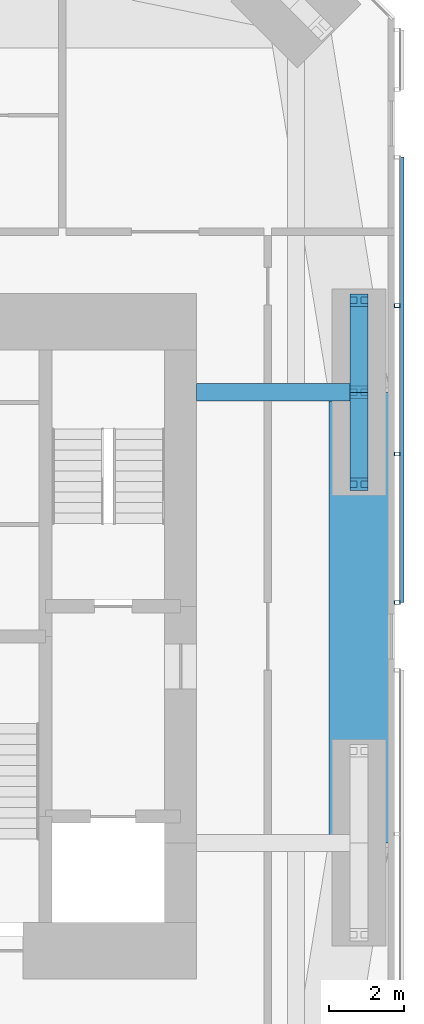
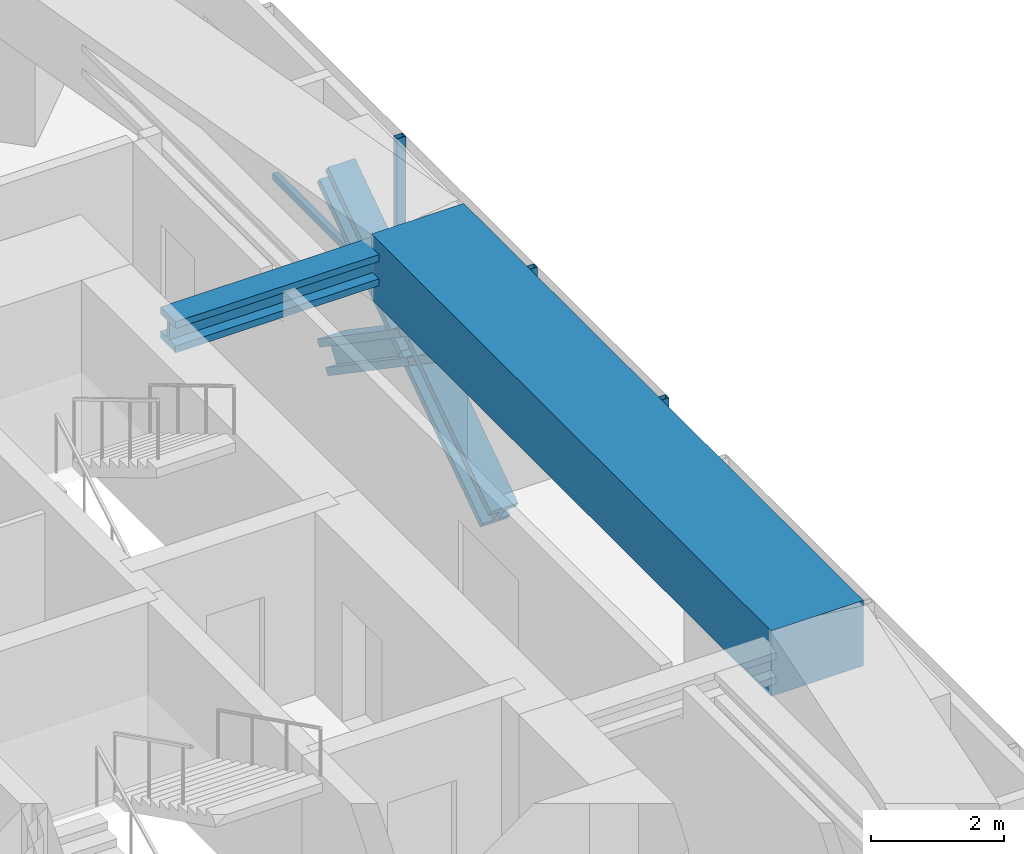
# One storey, part 9 of 23: 8 members, 2 beams, 1 element without a shape of its own.
"""IFC4 building model written with IfcOpenShell, lengths in metres."""

import ifcopenshell
import ifcopenshell.guid

model = None  # the IFC model being written
_history = None  # IfcOwnerHistory: only IFC2X3 demands one
_inside = {}  # id of a spatial element -> (the spatial element, [elements in it])
_under = {}  # id of a project, library or spatial element -> (it, [spatial elements below it])
_declared = {}  # id of a project -> (the project, [libraries it declares])
_typed = {}  # id of a type object -> (the type object, [elements of that type])
_made_of = {}  # id of a material, layer set ... -> (it, [elements and type objects made of it])


def new_model(schema):
    """Start an empty IFC model of exactly this schema.

    Asked for "IFC4X3", IfcOpenShell would pick the latest addendum, in which some entities
    have other attributes; the version numbers below select the first issue.
    IFC2X3 requires an IfcOwnerHistory on every rooted entity: one is made here for all.
    """
    global model, _history
    if schema == "IFC4X3":
        model = ifcopenshell.file(schema_version=(4, 3, 0, 0))
    else:
        model = ifcopenshell.file(schema=schema)
    _inside.clear()
    _under.clear()
    _declared.clear()
    _typed.clear()
    _made_of.clear()
    _history = None
    if model.schema == "IFC2X3":
        org = make("IfcOrganization", Name="unknown")
        user = make(
            "IfcPersonAndOrganization",
            ThePerson=make("IfcPerson", FamilyName="unknown"),
            TheOrganization=org,
        )
        app = make(
            "IfcApplication",
            ApplicationDeveloper=org,
            Version="unknown",
            ApplicationFullName="unknown",
            ApplicationIdentifier="unknown",
        )
        _history = make(
            "IfcOwnerHistory",
            OwningUser=user,
            OwningApplication=app,
            ChangeAction="ADDED",
            CreationDate=0,
        )
    return model


def make(cls, **values):
    """One entity of the class cls with the attributes given. An attribute that is None is left unset."""
    return model.create_entity(
        cls, **{name: value for name, value in values.items() if value is not None}
    )


def rooted(cls, **values):
    """An entity with a GlobalId (a new one), such as an element, a storey or a relation."""
    return make(cls, GlobalId=ifcopenshell.guid.new(), OwnerHistory=_history, **values)


def si_unit(unit_type, name, prefix=None):
    """IfcSIUnit, for example si_unit("LENGTHUNIT", "METRE", prefix="MILLI")."""
    return make("IfcSIUnit", UnitType=unit_type, Prefix=prefix, Name=name)


def assignment(units):
    """IfcUnitAssignment: the units of a project."""
    return None if units is None else make("IfcUnitAssignment", Units=units)


def point(xyz):
    """IfcCartesianPoint."""
    return None if xyz is None else make("IfcCartesianPoint", Coordinates=xyz)


def direction(xyz):
    """IfcDirection."""
    return None if xyz is None else make("IfcDirection", DirectionRatios=xyz)


def frame(location, z_axis=None, x_axis=None):
    """IfcAxis2Placement3D, a coordinate frame: its origin and axes. An axis left out is left unset."""
    return make(
        "IfcAxis2Placement3D",
        Location=point(location),
        Axis=direction(z_axis),
        RefDirection=direction(x_axis),
    )


def frame_2d(location, x_axis=None):
    """IfcAxis2Placement2D, a coordinate frame in the plane: its origin and x axis."""
    return make(
        "IfcAxis2Placement2D", Location=point(location), RefDirection=direction(x_axis)
    )


def origin():
    """The frame at (0, 0, 0) with its axes left unset."""
    return frame((0.0, 0.0, 0.0))


def origin_2d():
    """The frame at (0, 0) in the plane with its x axis left unset."""
    return frame_2d((0.0, 0.0))


def place(relative_to, where):
    """IfcLocalPlacement: puts the frame where relative to a parent placement (None: the world)."""
    return make(
        "IfcLocalPlacement", PlacementRelTo=relative_to, RelativePlacement=where
    )


def context(
    kind, dimensions, precision=None, world=None, true_north=None, identifier=None
):
    """IfcGeometricRepresentationContext, for example the 3D "Model" context."""
    return make(
        "IfcGeometricRepresentationContext",
        ContextIdentifier=identifier,
        ContextType=kind,
        CoordinateSpaceDimension=dimensions,
        Precision=precision,
        WorldCoordinateSystem=world,
        TrueNorth=true_north,
    )


def subcontext(parent, identifier, kind, view, scale=None):
    """IfcGeometricRepresentationSubContext, for example "Body" below "Model"."""
    return make(
        "IfcGeometricRepresentationSubContext",
        ContextIdentifier=identifier,
        ContextType=kind,
        ParentContext=parent,
        TargetScale=scale,
        TargetView=view,
    )


def project(units=None, contexts=None):
    """IfcProject with its units and contexts."""
    return rooted(
        "IfcProject",
        Name="project",
        RepresentationContexts=contexts,
        UnitsInContext=assignment(units),
    )


def spatial(cls, under=None, at=None, **own):
    """A site, building, storey or space (cls), placed at a placement, below another one or the project."""
    s = rooted(cls, ObjectPlacement=at, **own)
    if under is not None:
        _under.setdefault(under.id(), (under, []))[1].append(s)
    return s


def profile(cls, at=None, kind="AREA", **sizes):
    """A parametric profile (cls). Its sizes go by their IFC names, for example OverallWidth=200.0."""
    return make(cls, ProfileType=kind, Position=at, **sizes)


def rectangle(**sizes):
    """IfcRectangleProfileDef."""
    return profile("IfcRectangleProfileDef", **sizes)


def hollow_rectangle(**sizes):
    """IfcRectangleHollowProfileDef."""
    return profile("IfcRectangleHollowProfileDef", **sizes)


def i_section(**sizes):
    """IfcIShapeProfileDef."""
    return profile("IfcIShapeProfileDef", **sizes)


def extrude(swept, where, along, depth):
    """IfcExtrudedAreaSolid: the profile swept, set in the frame where, extruded along a direction by depth."""
    return make(
        "IfcExtrudedAreaSolid",
        SweptArea=swept,
        Position=where,
        ExtrudedDirection=direction(along),
        Depth=depth,
    )


def shape(context_of_items, identifier, shape_type, items):
    """IfcShapeRepresentation: the items that make up one representation, for example the "Body"."""
    return make(
        "IfcShapeRepresentation",
        ContextOfItems=context_of_items,
        RepresentationIdentifier=identifier,
        RepresentationType=shape_type,
        Items=items,
    )


def material(Name=None, Category=None):
    """IfcMaterial."""
    return make("IfcMaterial", Name=Name, Category=Category)


def material_profile(
    of_material, cross_section, Name=None, Category=None, Priority=None
):
    """IfcMaterialProfile: a cross section and its material."""
    return make(
        "IfcMaterialProfile",
        Name=Name,
        Material=of_material,
        Profile=cross_section,
        Priority=Priority,
        Category=Category,
    )


def profile_set(profiles, Name=None, composite=None):
    """IfcMaterialProfileSet."""
    return make(
        "IfcMaterialProfileSet",
        Name=Name,
        MaterialProfiles=profiles,
        CompositeProfile=composite,
    )


def made_of(thing, what):
    """Note that an element or type object is made of a material, layer set ...; save() writes the relation."""
    if what is not None:
        _made_of.setdefault(what.id(), (what, []))[1].append(thing)
    return thing


def type_object(cls, material=None, **own):
    """A type object (cls), such as IfcWallType, which elements share."""
    return made_of(rooted(cls, **own), material)


def element(
    cls,
    number,
    at=None,
    inside=None,
    cuts=None,
    type_object=None,
    material=None,
    context=None,
    identifier="Body",
    shape_type=None,
    held_by="IfcProductDefinitionShape",
    body=None,
    shapes=None,
    **own,
):
    """One element of the class cls, such as IfcWall. Its Tag is "e" and its number.

    at: its placement. inside: the storey or other place that contains it. cuts: it is an
    opening in that element (IfcRelVoidsElement). A single representation is given by context,
    identifier, shape_type and body (its items); several are given by shapes. held_by: the class
    of the entity that holds the representations. save() writes the other relations.
    """
    e = rooted(cls, Tag="e%d" % number, ObjectPlacement=at, **own)
    if body is not None:
        shapes = [shape(context, identifier, shape_type, body)]
    if shapes is not None:
        e.Representation = make(held_by, Representations=shapes)
    if inside is not None:
        _inside.setdefault(inside.id(), (inside, []))[1].append(e)
    if cuts is not None:
        rooted(
            "IfcRelVoidsElement", RelatingBuildingElement=cuts, RelatedOpeningElement=e
        )
    if type_object is not None:
        _typed.setdefault(type_object.id(), (type_object, []))[1].append(e)
    return made_of(e, material)


def aggregate(whole, parts):
    """IfcRelAggregates: a whole, such as a stair, and the parts it consists of."""
    return rooted("IfcRelAggregates", RelatingObject=whole, RelatedObjects=parts)


def save(model, path):
    """Write the relations noted so far, then the file.

    IfcRelAggregates (storeys below a building ...), IfcRelContainedInSpatialStructure (elements
    in a storey), IfcRelDefinesByType, IfcRelAssociatesMaterial and IfcRelDeclares: one each for
    every whole, place, type object, material and project.
    """
    for whole, parts in _under.values():
        aggregate(whole, parts)
    for where, things in _inside.values():
        rooted(
            "IfcRelContainedInSpatialStructure",
            RelatedElements=things,
            RelatingStructure=where,
        )
    for kind, things in _typed.values():
        rooted("IfcRelDefinesByType", RelatedObjects=things, RelatingType=kind)
    for what, things in _made_of.values():
        rooted("IfcRelAssociatesMaterial", RelatedObjects=things, RelatingMaterial=what)
    for by, libraries in _declared.values():
        rooted("IfcRelDeclares", RelatingContext=by, RelatedDefinitions=libraries)
    model.write(path)


model = new_model("IFC4")

# Units and contexts
model_context = context("Model", 3, precision=1e-05, world=origin(), true_north=direction((0.0, 1.0)))
body_context = subcontext(model_context, "Body", "Model", "MODEL_VIEW")
ifc_project = project(units=[si_unit("LENGTHUNIT", "METRE"), si_unit("AREAUNIT", "SQUARE_METRE"), si_unit("VOLUMEUNIT", "CUBIC_METRE"), si_unit("PLANEANGLEUNIT", "RADIAN"), si_unit("MASSUNIT", "GRAM", prefix="KILO")], contexts=[model_context])

# Site, building, storey
site_placement = place(None, origin())
site = spatial("IfcSite", under=ifc_project, at=site_placement, CompositionType="ELEMENT")
building_placement = place(site_placement, origin())
building = spatial("IfcBuilding", under=site, at=building_placement, Name="Jalousie Tower", CompositionType="ELEMENT")
storey_placement = place(building_placement, frame((0.0, 0.0, 111.550048828125)))
storey = spatial("IfcBuildingStorey", under=building, at=storey_placement, Name="L30", CompositionType="ELEMENT", Elevation=111.550048828125)

# Beam
ifc_material_1 = material(Name="Steel ASTM A992 Grade 50", Category="steel")
ifc_material_profile_1 = material_profile(ifc_material_1, i_section(OverallWidth=0.45458984375, OverallDepth=0.569091796875, WebThickness=0.077880859375, FlangeThickness=0.124755859375, at=origin_2d()), Name="W14X730")
ifc_profile_set_1 = profile_set([ifc_material_profile_1], Name="Steel ASTM A992 Grade 50")
beam_type_1 = type_object("IfcBeamType", Name="LEAN COLLECTOR W14X730", PredefinedType="BEAM", material=ifc_profile_set_1)
beam_1_placement = place(storey_placement, frame((48.550048828125, 25.0, 2.825439453125), z_axis=(-1.0, 0.0, 0.0), x_axis=(0.0, -1.0, 0.0)))
element("IfcBeam", 1, at=beam_1_placement, inside=storey, type_object=beam_type_1, Name="Lean collector under L31", PredefinedType="BEAM", context=body_context, shape_type="SweptSolid", body=[
    extrude(i_section(OverallWidth=0.45458984375, OverallDepth=0.569091796875, WebThickness=0.077880859375, FlangeThickness=0.124755859375, at=origin_2d()), origin(), (0.0, 0.0, 1.0), 4.324951171875),
])

# Members
ifc_material_2 = material(Name="Steel ASTM A992 Grade 50", Category="steel")
ifc_material_profile_2 = material_profile(ifc_material_2, i_section(OverallWidth=0.472412109375, OverallDepth=0.5791015625, WebThickness=0.094970703125, FlangeThickness=0.1298828125, at=origin_2d()), Name="W14X808")
ifc_profile_set_2 = profile_set([ifc_material_profile_2], Name="Steel ASTM A992 Grade 50")
member_type_1 = type_object("IfcMemberType", Name="PERIMETER BRACE W14X808", PredefinedType="BRACE", material=ifc_profile_set_2)
for number, where, z_axis, x_axis, name in (
    (2, (48.550048828125, 22.550048828125, -0.60009765625), (0.0, 0.825500916831, 0.564400776321), (-1.0, 0.0, 0.0), "Perimeter brace 07 L30 part 1"),
    (3, (48.550048828125, 25.0, 1.074951171875), (0.0, 0.825500916831, 0.564400776321), (-1.0, 0.0, 0.0), "Perimeter brace 07 L30 part 2"),
    (4, (48.550048828125, 27.449951171875, -0.60009765625), (0.0, -0.825500916831, 0.564400776321), (1.0, 0.0, 0.0), "Perimeter brace 07 L30 part 3"),
    (5, (48.550048828125, 25.0, 1.074951171875), (0.0, -0.825500916831, 0.564400776321), (1.0, 0.0, 0.0), "Perimeter brace 07 L30 part 4"),
):
    element("IfcMember", number, at=place(storey_placement, frame(where, z_axis=z_axis, x_axis=x_axis)), inside=storey, type_object=member_type_1, Name=name, PredefinedType="BRACE", context=body_context, shape_type="SweptSolid", body=[
        extrude(i_section(OverallWidth=0.472412109375, OverallDepth=0.5791015625, WebThickness=0.094970703125, FlangeThickness=0.1298828125, at=origin_2d()), origin(), (0.0, 0.0, 1.0), 2.9677734375),
    ])

# Beam
ifc_material_3 = material(Name="Concrete f'c 40 MPa", Category="concrete")
ifc_material_profile_3 = material_profile(ifc_material_3, rectangle(XDim=1.60009765625, YDim=1.199951171875, at=origin_2d()), Name="RC 1600x1200")
ifc_profile_set_3 = profile_set([ifc_material_profile_3], Name="Concrete f'c 40 MPa")
beam_type_2 = type_object("IfcBeamType", Name="RC BEAM 1600x1200", PredefinedType="BEAM", material=ifc_profile_set_3)
beam_2_placement = place(storey_placement, frame((48.550048828125, 13.0, 2.75), z_axis=(0.0, 1.0, 0.0), x_axis=(-1.0, 0.0, 0.0)))
element("IfcBeam", 6, at=beam_2_placement, inside=storey, type_object=beam_type_2, Name="Edge band beam 06-07 under L31", PredefinedType="BEAM", context=body_context, shape_type="SweptSolid", body=[
    extrude(rectangle(XDim=1.60009765625, YDim=1.199951171875, at=origin_2d()), origin(), (0.0, 0.0, 1.0), 12.0),
])

# Curtain wall, members
ifc_material_4 = material(Name="Perforated aluminium sheet", Category="aluminium")
curtain_wall_type = type_object("IfcCurtainWallType", Name="SOLAR SCREEN SS-1", PredefinedType="USERDEFINED", material=ifc_material_4)
curtain_wall_placement = place(storey_placement, origin())
curtain_wall = element("IfcCurtainWall", 7, at=curtain_wall_placement, inside=storey, type_object=curtain_wall_type, Name="Solar screen L30", ObjectType="SOLAR SCREEN SS-1", PredefinedType="USERDEFINED")
ifc_material_5 = material(Name="Steel ASTM A500 Grade C", Category="steel")
ifc_material_profile_4 = material_profile(ifc_material_5, hollow_rectangle(XDim=0.1015625, YDim=0.15234375, WallThickness=0.00634765625, at=origin_2d()), Name="HSS6X4X1/4")
ifc_profile_set_4 = profile_set([ifc_material_profile_4], Name="Steel ASTM A500 Grade C")
member_type_2 = type_object("IfcMemberType", Name="SOLAR SCREEN SS-1 MULLION", PredefinedType="MULLION", material=ifc_profile_set_4)
member_1_placement = place(storey_placement, frame((49.5712890625, 19.39990234375, -0.1201171875), z_axis=(0.0, 0.0, 1.0), x_axis=(0.0, 1.0, 0.0)))
member_1 = element("IfcMember", 8, at=member_1_placement, type_object=member_type_2, Name="SS1 post 1", PredefinedType="MULLION", context=body_context, shape_type="SweptSolid", body=[
    extrude(hollow_rectangle(XDim=0.1015625, YDim=0.15234375, WallThickness=0.00634765625, at=origin_2d()), origin(), (0.0, 0.0, 1.0), 3.22998046875),
])
member_2_placement = place(storey_placement, frame((49.5712890625, 23.35400390625, -0.1201171875), z_axis=(0.0, 0.0, 1.0), x_axis=(0.0, 1.0, 0.0)))
member_2 = element("IfcMember", 9, at=member_2_placement, type_object=member_type_2, Name="SS1 post 2", PredefinedType="MULLION", context=body_context, shape_type="SweptSolid", body=[
    extrude(hollow_rectangle(XDim=0.1015625, YDim=0.15234375, WallThickness=0.00634765625, at=origin_2d()), origin(), (0.0, 0.0, 1.0), 3.22998046875),
])
member_3_placement = place(storey_placement, frame((49.5712890625, 27.307861328125, -0.1201171875), z_axis=(0.0, 0.0, 1.0), x_axis=(0.0, 1.0, 0.0)))
member_3 = element("IfcMember", 10, at=member_3_placement, type_object=member_type_2, Name="SS1 post 3", PredefinedType="MULLION", context=body_context, shape_type="SweptSolid", body=[
    extrude(hollow_rectangle(XDim=0.1015625, YDim=0.15234375, WallThickness=0.00634765625, at=origin_2d()), origin(), (0.0, 0.0, 1.0), 3.22998046875),
])
ifc_material_6 = material(Name="Extruded aluminium screen rail", Category="aluminium")
ifc_material_profile_5 = material_profile(ifc_material_6, rectangle(XDim=0.1015625, YDim=0.1201171875, at=origin_2d()), Name="RAIL 102x120")
ifc_profile_set_5 = profile_set([ifc_material_profile_5], Name="Extruded aluminium screen rail")
member_type_3 = type_object("IfcMemberType", Name="SOLAR SCREEN SS-1 TRANSOM", PredefinedType="USERDEFINED", material=ifc_profile_set_5)
member_4_placement = place(storey_placement, frame((49.6982421875, 19.39990234375, -0.06005859375), z_axis=(0.0, 1.0, 0.0), x_axis=(-1.0, 0.0, 0.0)))
member_4 = element("IfcMember", 11, at=member_4_placement, type_object=member_type_3, Name="SS1 rail", ObjectType="TRANSOM", PredefinedType="USERDEFINED", context=body_context, shape_type="SweptSolid", body=[
    extrude(rectangle(XDim=0.1015625, YDim=0.1201171875, at=origin_2d()), origin(), (0.0, 0.0, 1.0), 11.862060546875),
])
aggregate(curtain_wall, [member_1, member_2, member_3, member_4])

save(model, "model.ifc")
